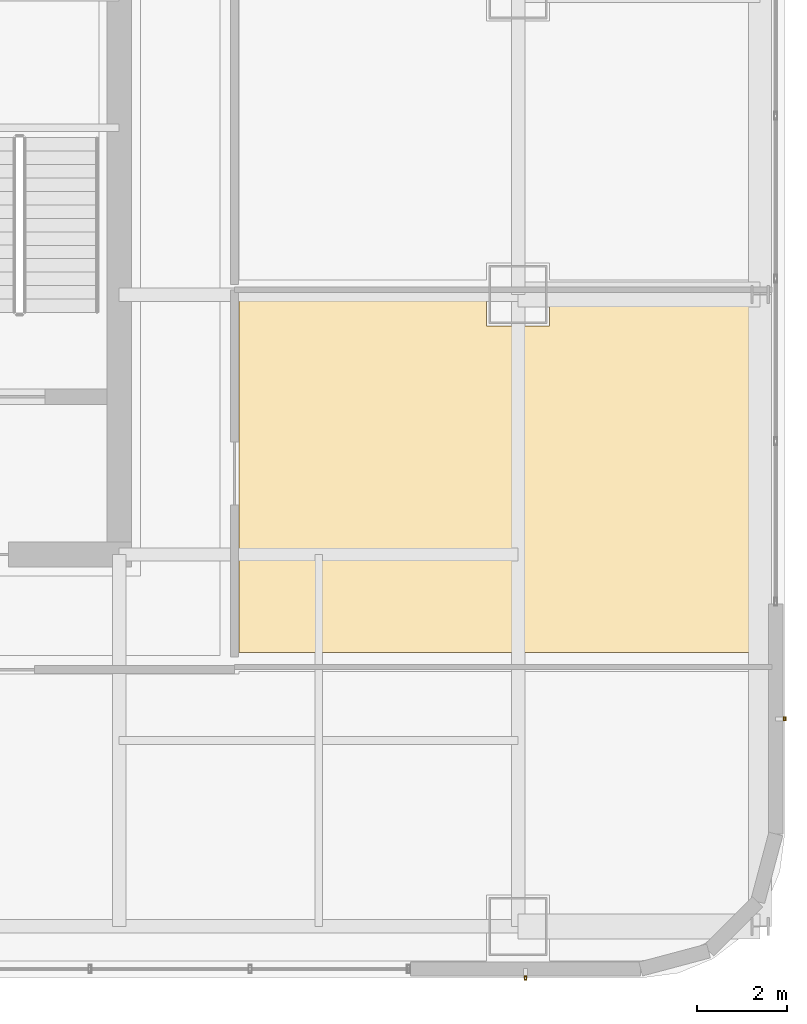
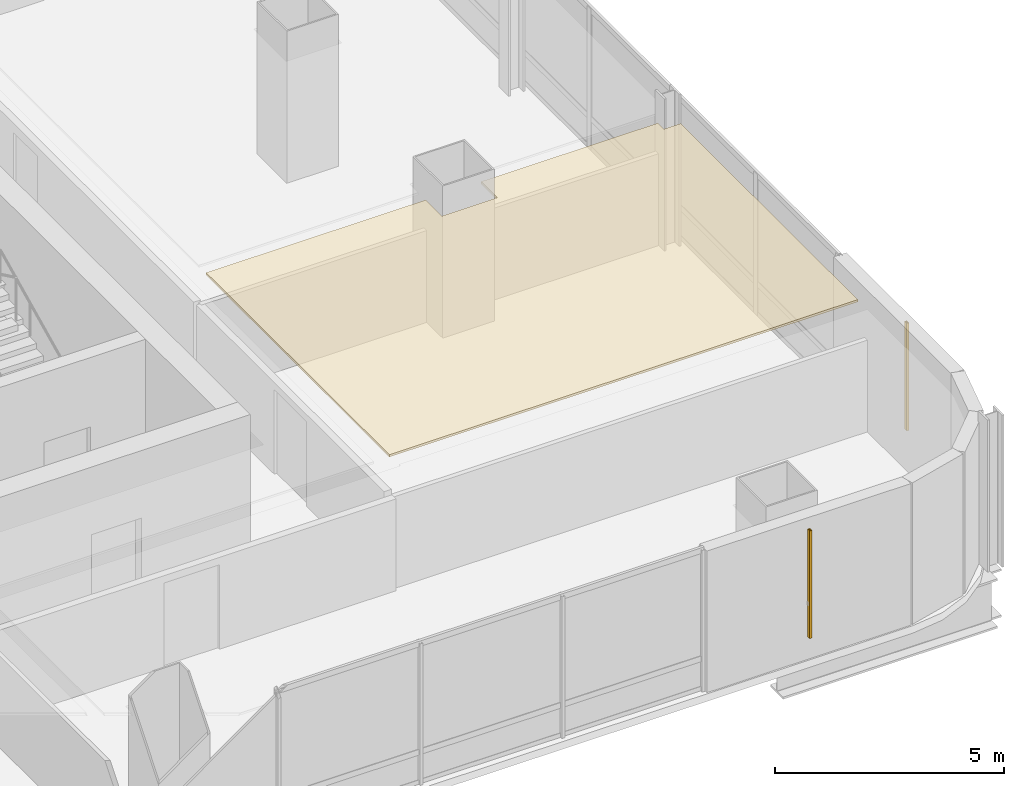
# One storey, part 47 of 51: 2 shading devices, 1 covering.
"""IFC4 building model written with IfcOpenShell, lengths in metres."""

from ifc_helpers import new_model, si_unit, direction, frame, origin, origin_2d, place, context, subcontext, project, spatial, polyline, hollow_rectangle, outline, extrude, material, layer, layer_set, material_profile, profile_set, type_object, element, save


model = new_model("IFC4")

# Units and contexts
model_context = context("Model", 3, precision=1e-05, world=origin(), true_north=direction((0.0, 1.0)))
body_context = subcontext(model_context, "Body", "Model", "MODEL_VIEW")
ifc_project = project(units=[si_unit("LENGTHUNIT", "METRE"), si_unit("AREAUNIT", "SQUARE_METRE"), si_unit("VOLUMEUNIT", "CUBIC_METRE"), si_unit("PLANEANGLEUNIT", "RADIAN"), si_unit("MASSUNIT", "GRAM", prefix="KILO")], contexts=[model_context])

# Site, building, storey
site_placement = place(None, origin())
site = spatial("IfcSite", under=ifc_project, at=site_placement, CompositionType="ELEMENT")
building_placement = place(site_placement, origin())
building = spatial("IfcBuilding", under=site, at=building_placement, Name="Punatoya Terracotta Tower", CompositionType="ELEMENT")
storey_placement = place(building_placement, frame((0.0, 0.0, 279.75)))
storey = spatial("IfcBuildingStorey", under=building, at=storey_placement, Name="L66", CompositionType="ELEMENT", Elevation=279.75)

# Covering
ifc_material_1 = material(Name="Acoustic Mineral Fibre Ceiling")
ifc_layer = layer(ifc_material_1, 0.06005859375)
ifc_layer_set = layer_set([ifc_layer], Name="Acoustic Mineral Fibre Ceiling")
covering_type = type_object("IfcCoveringType", Name="COV-CEIL-60", PredefinedType="CEILING", material=ifc_layer_set)
covering_placement = place(storey_placement, frame((0.0, 0.0, 3.239990234375)))
element("IfcCovering", 1, at=covering_placement, inside=storey, type_object=covering_type, Name="L66 Open-Plan Executive Briefing Room Acoustic Ceiling", PredefinedType="CEILING", context=body_context, shape_type="SweptSolid", body=[
    extrude(outline(polyline([(24.2470703125, -3.657958984375), (24.2470703125, -3.39404296875), (19.800048828125, -3.39404296875), (19.800048828125, -4.10009765625), (18.39990234375, -4.10009765625), (18.39990234375, -3.39404296875), (12.8701171875, -3.39404296875), (12.8701171875, -11.389892578125), (24.669921875, -11.389892578125), (24.669921875, -3.657958984375), (24.2470703125, -3.657958984375)])), origin(), (0.0, 0.0, 1.0), 0.06005859375),
])

# Shading devices
ifc_material_2 = material(Name="Architectural Fired Terracotta", Category="masonry")
ifc_material_profile = material_profile(ifc_material_2, hollow_rectangle(XDim=0.06005859375, YDim=0.090087890625, WallThickness=0.013916015625, at=origin_2d()))
ifc_profile_set = profile_set([ifc_material_profile], Name="Architectural Fired Terracotta")
shading_device_type = type_object("IfcShadingDeviceType", Name="SHD-JALI-90", PredefinedType="JALOUSIE", material=ifc_profile_set)
for number, where, z_axis, x_axis, name in (
    (2, (19.2685546875, -18.64990234375, 0.60009765625), (0.0, 0.0, 1.0), (1.0, 0.0, 0.0), "L66 Braced Bay Terracotta Jali Fin S2"),
    (3, (25.050048828125, -12.868408203125, 0.60009765625), (0.0, 0.0, 1.0), (1.0, 0.0, 0.0), "L66 Braced Bay Terracotta Jali Fin E1"),
):
    element("IfcShadingDevice", number, at=place(storey_placement, frame(where, z_axis=z_axis, x_axis=x_axis)), inside=storey, type_object=shading_device_type, Name=name, PredefinedType="JALOUSIE", context=body_context, shape_type="SweptSolid", body=[
        extrude(hollow_rectangle(XDim=0.06005859375, YDim=0.090087890625, WallThickness=0.013916015625, at=origin_2d()), origin(), (0.0, 0.0, 1.0), 2.869873046875),
    ])

save(model, "model.ifc")
